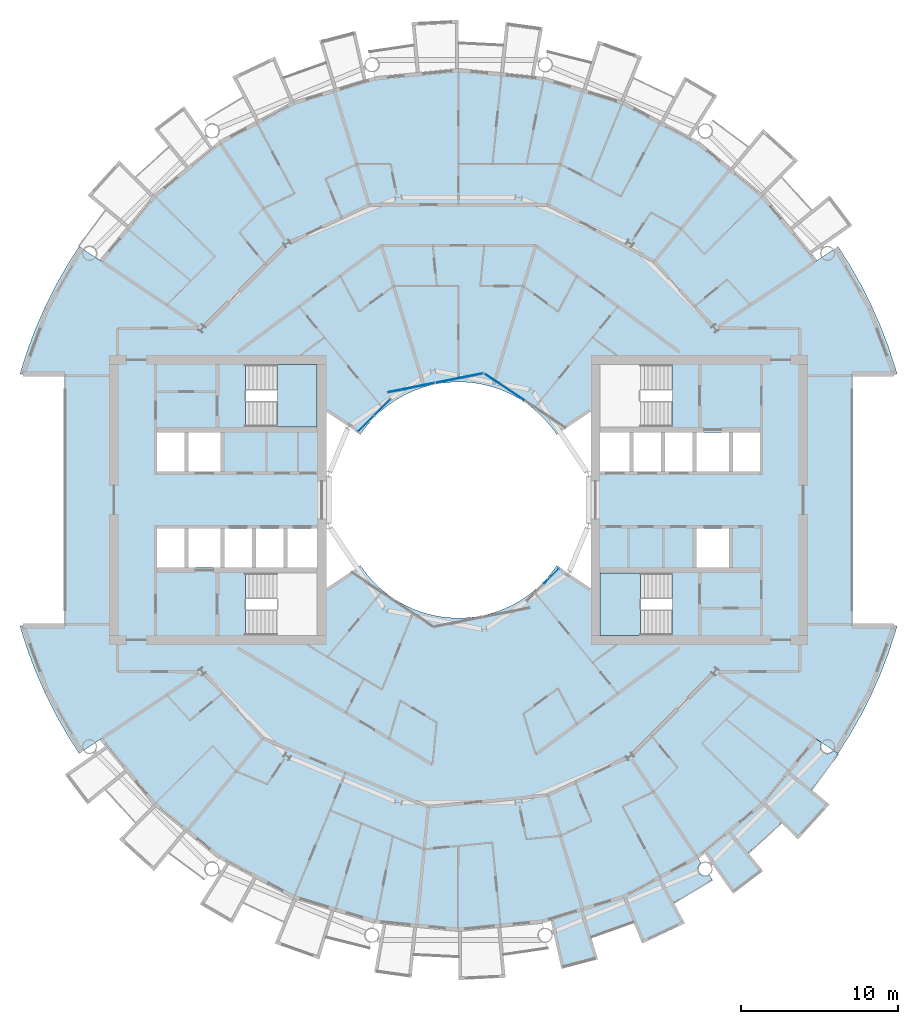
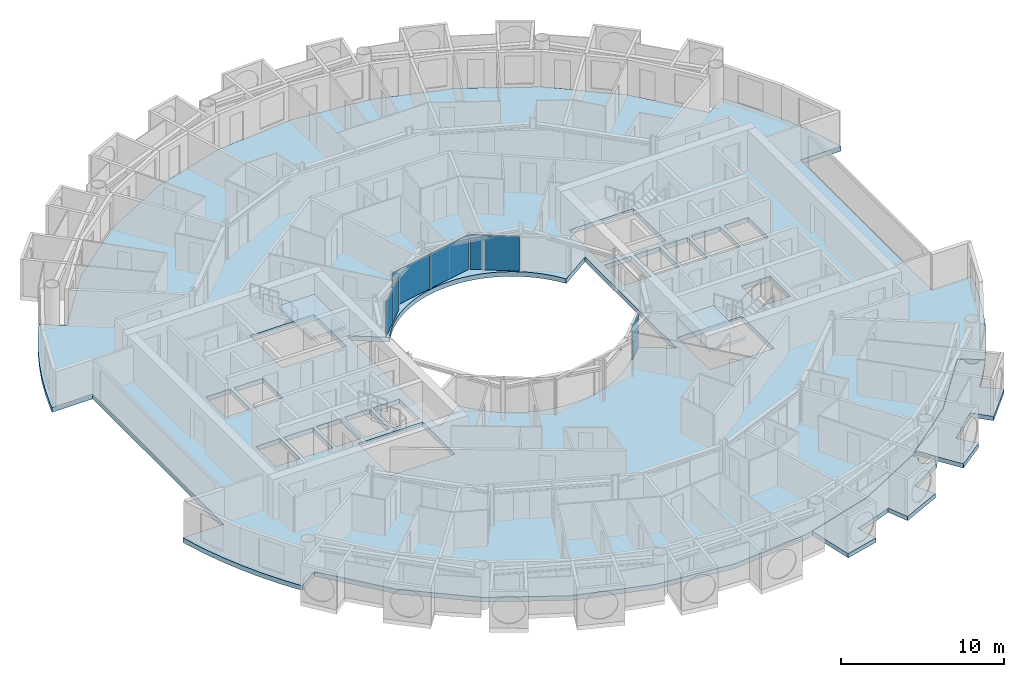
# One storey, part 11 of 27: 6 plates, 5 slabs, 6 elements without a shape of their own.
"""IFC4 building model written with IfcOpenShell, lengths in metres."""

from ifc_helpers import new_model, si_unit, direction, frame, origin, origin_2d, place, context, subcontext, project, spatial, polyline, rectangle, outline, extrude, material, layer, layer_set, type_object, element, aggregate, save


model = new_model("IFC4")

# Units and contexts
model_context = context("Model", 3, precision=1e-05, world=origin(), true_north=direction((0.0, 1.0)))
body_context = subcontext(model_context, "Body", "Model", "MODEL_VIEW")
ifc_project = project(units=[si_unit("LENGTHUNIT", "METRE"), si_unit("AREAUNIT", "SQUARE_METRE"), si_unit("VOLUMEUNIT", "CUBIC_METRE"), si_unit("PLANEANGLEUNIT", "RADIAN"), si_unit("MASSUNIT", "GRAM", prefix="KILO")], contexts=[model_context])

# Site, building, storey
site_placement = place(None, origin())
site = spatial("IfcSite", under=ifc_project, at=site_placement, CompositionType="ELEMENT")
building_placement = place(site_placement, origin())
building = spatial("IfcBuilding", under=site, at=building_placement, Name="Maasbend Ring Residences", CompositionType="ELEMENT")
storey_placement = place(building_placement, frame((0.0, 0.0, 117.75)))
storey = spatial("IfcBuildingStorey", under=building, at=storey_placement, Name="L33", CompositionType="ELEMENT", Elevation=117.75)

# Stair, slab
ifc_material_1 = material(Name="Concrete C40/50", Category="concrete")
stair_type = type_object("IfcStairType", Name="CORE STAIR 18 RISERS", PredefinedType="HALF_TURN_STAIR", material=ifc_material_1)
stair_1_placement = place(storey_placement, origin())
stair_1 = element("IfcStair", 1, at=stair_1_placement, inside=storey, type_object=stair_type, Name="L33 Exit stair ST-E2", PredefinedType="HALF_TURN_STAIR")
ifc_material_2 = material(Name="Concrete C40/50", Category="concrete")
ifc_layer_1 = layer(ifc_material_2, 0.199951171875)
ifc_layer_set_1 = layer_set([ifc_layer_1], Name="Concrete C40/50")
slab_type_1 = type_object("IfcSlabType", Name="CORE STAIR LANDING 200", PredefinedType="LANDING", material=ifc_layer_set_1)
slab_1_placement = place(storey_placement, frame((0.0, 0.0, 1.324951171875)))
slab_1 = element("IfcSlab", 2, at=slab_1_placement, type_object=slab_type_1, Name="ST-E2 landing 1", PredefinedType="LANDING", context=body_context, shape_type="SweptSolid", body=[
    extrude(outline(polyline([(11.550048828125, -4.64990234375), (9.0, -4.64990234375), (9.0, -8.60009765625), (11.550048828125, -8.60009765625), (11.550048828125, -4.64990234375)])), origin(), (0.0, 0.0, 1.0), 0.199951171875),
])
aggregate(stair_1, [slab_1])

stair_2_placement = place(storey_placement, origin())
stair_2 = element("IfcStair", 3, at=stair_2_placement, inside=storey, type_object=stair_type, Name="L33 Exit stair ST-W2", PredefinedType="HALF_TURN_STAIR")
slab_2_placement = place(storey_placement, frame((0.0, 0.0, 1.324951171875)))
slab_2 = element("IfcSlab", 4, at=slab_2_placement, type_object=slab_type_1, Name="ST-W2 landing 1", PredefinedType="LANDING", context=body_context, shape_type="SweptSolid", body=[
    extrude(outline(polyline([(-11.550048828125, 4.64990234375), (-9.0, 4.64990234375), (-9.0, 8.60009765625), (-11.550048828125, 8.60009765625), (-11.550048828125, 4.64990234375)])), origin(), (0.0, 0.0, 1.0), 0.199951171875),
])
aggregate(stair_2, [slab_2])

# Curtain wall, plate
ifc_material_3 = material(Name="Aluminium and clear glass", Category="aluminium")
ifc_layer_2 = layer(ifc_material_3, 0.179931640625)
ifc_layer_set_2 = layer_set([ifc_layer_2], Name="CW-W")
curtain_wall_type = type_object("IfcCurtainWallType", Name="CW-W", PredefinedType="NOTDEFINED", material=ifc_layer_set_2)
curtain_wall_1_placement = place(storey_placement, origin())
curtain_wall_1 = element("IfcCurtainWall", 5, at=curtain_wall_1_placement, inside=storey, type_object=curtain_wall_type, Name="Well curtain wall N1", PredefinedType="NOTDEFINED")
ifc_material_4 = material(Name="Glass clear laminated", Category="glass")
ifc_layer_3 = layer(ifc_material_4, 0.031982421875)
ifc_layer_set_3 = layer_set([ifc_layer_3], Name="CWP-W")
plate_type = type_object("IfcPlateType", Name="CWP-W", PredefinedType="CURTAIN_PANEL", material=ifc_layer_set_3)
plate_1_placement = place(storey_placement, frame((2.922119140625, 7.17578125, 0.0), z_axis=(0.0, 0.0, 1.0), x_axis=(-0.831469612303, 0.55557023302, 0.0)))
plate_1 = element("IfcPlate", 6, at=plate_1_placement, type_object=plate_type, Name="Glass panel well face", PredefinedType="CURTAIN_PANEL", context=body_context, shape_type="SweptSolid", body=[
    extrude(rectangle(XDim=3.053955078125, YDim=0.031982421875, at=origin_2d()), origin(), (0.0, 0.0, 1.0), 2.580078125),
])
aggregate(curtain_wall_1, [plate_1])

# Curtain wall, plates
curtain_wall_2_placement = place(storey_placement, origin())
curtain_wall_2 = element("IfcCurtainWall", 7, at=curtain_wall_2_placement, inside=storey, type_object=curtain_wall_type, Name="Well curtain wall N2", PredefinedType="NOTDEFINED")
plate_2_placement = place(storey_placement, frame((0.04638671875, 7.747802734375, 0.0), z_axis=(0.0, 0.0, 1.0), x_axis=(-0.980785280403, -0.195090322016, 0.0)))
plate_2 = element("IfcPlate", 8, at=plate_2_placement, type_object=plate_type, Name="Glass panel well face", PredefinedType="CURTAIN_PANEL", context=body_context, shape_type="SweptSolid", body=[
    extrude(rectangle(XDim=3.053955078125, YDim=0.031982421875, at=origin_2d()), origin(), (0.0, 0.0, 1.0), 2.580078125),
])
plate_3_placement = place(storey_placement, frame((-3.0078125, 7.140380859375, 0.0), z_axis=(0.0, 0.0, 1.0), x_axis=(-0.980785280403, -0.195090322016, 0.0)))
plate_3 = element("IfcPlate", 9, at=plate_3_placement, type_object=plate_type, Name="Glass panel well face", PredefinedType="CURTAIN_PANEL", context=body_context, shape_type="SweptSolid", body=[
    extrude(rectangle(XDim=3.053955078125, YDim=0.031982421875, at=origin_2d()), origin(), (0.0, 0.0, 1.0), 2.580078125),
])
aggregate(curtain_wall_2, [plate_2, plate_3])

curtain_wall_3_placement = place(storey_placement, origin())
curtain_wall_3 = element("IfcCurtainWall", 10, at=curtain_wall_3_placement, inside=storey, type_object=curtain_wall_type, Name="Well curtain wall N3", PredefinedType="NOTDEFINED")
plate_4_placement = place(storey_placement, frame((-4.84375, 5.89013671875, 0.0), z_axis=(0.0, 0.0, 1.0), x_axis=(-0.707106781187, -0.707106781187, 0.0)))
plate_4 = element("IfcPlate", 11, at=plate_4_placement, type_object=plate_type, Name="Glass panel well face", PredefinedType="CURTAIN_PANEL", context=body_context, shape_type="SweptSolid", body=[
    extrude(rectangle(XDim=1.419677734375, YDim=0.031982421875, at=origin_2d()), origin(), (0.0, 0.0, 1.0), 2.580078125),
])
plate_5_placement = place(storey_placement, frame((-5.89013671875, 4.84375, 0.0), z_axis=(0.0, 0.0, 1.0), x_axis=(-0.707106781187, -0.707106781187, 0.0)))
plate_5 = element("IfcPlate", 12, at=plate_5_placement, type_object=plate_type, Name="Glass panel well face", PredefinedType="CURTAIN_PANEL", context=body_context, shape_type="SweptSolid", body=[
    extrude(rectangle(XDim=1.419677734375, YDim=0.031982421875, at=origin_2d()), origin(), (0.0, 0.0, 1.0), 2.580078125),
])
aggregate(curtain_wall_3, [plate_4, plate_5])

# Curtain wall, plate
curtain_wall_4_placement = place(storey_placement, origin())
curtain_wall_4 = element("IfcCurtainWall", 13, at=curtain_wall_4_placement, inside=storey, type_object=curtain_wall_type, Name="Well curtain wall S3", PredefinedType="NOTDEFINED")
plate_6_placement = place(storey_placement, frame((5.89013671875, -4.84375, 0.0), z_axis=(0.0, 0.0, 1.0), x_axis=(0.707106781187, 0.707106781187, 0.0)))
plate_6 = element("IfcPlate", 14, at=plate_6_placement, type_object=plate_type, Name="Glass panel well face", PredefinedType="CURTAIN_PANEL", context=body_context, shape_type="SweptSolid", body=[
    extrude(rectangle(XDim=1.419677734375, YDim=0.031982421875, at=origin_2d()), origin(), (0.0, 0.0, 1.0), 2.580078125),
])
aggregate(curtain_wall_4, [plate_6])

# Slabs
ifc_material_5 = material(Name="Concrete C40/50", Category="concrete")
ifc_layer_4 = layer(ifc_material_5, 0.35009765625)
ifc_layer_set_4 = layer_set([ifc_layer_4], Name="Concrete C40/50")
slab_type_2 = type_object("IfcSlabType", Name="Post-tensioned flat plate 350", PredefinedType="FLOOR", material=ifc_layer_set_4)
slab_3_placement = place(storey_placement, frame((0.0, 0.0, -0.35009765625)))
element("IfcSlab", 15, at=slab_3_placement, inside=storey, type_object=slab_type_2, Name="Floor slab L33", PredefinedType="FLOOR", context=body_context, shape_type="SweptSolid", body=[
    extrude(outline(polyline([(24.8740234375, -14.908935546875), (25.57568359375, -13.67041015625), (26.2158203125, -12.399169921875), (26.79248046875, -11.097900390625), (27.3046875, -9.769775390625), (27.751220703125, -8.418212890625), (27.866943359375, -8.0), (25.0, -8.0), (25.0, 8.0), (27.866943359375, 8.0), (27.751220703125, 8.418212890625), (27.3046875, 9.769775390625), (26.79248046875, 11.097900390625), (26.2158203125, 12.399169921875), (25.57568359375, 13.67041015625), (24.8740234375, 14.908935546875), (24.112548828125, 16.111572265625), (22.69921875, 15.1669921875), (19.303955078125, 19.303955078125), (15.1669921875, 22.69921875), (10.447265625, 25.221923828125), (5.325927734375, 26.775390625), (0.0, 27.300048828125), (-5.325927734375, 26.775390625), (-10.447265625, 25.221923828125), (-15.1669921875, 22.69921875), (-19.303955078125, 19.303955078125), (-22.69921875, 15.1669921875), (-24.112548828125, 16.111572265625), (-24.8740234375, 14.908935546875), (-25.57568359375, 13.67041015625), (-26.2158203125, 12.399169921875), (-26.79248046875, 11.097900390625), (-27.3046875, 9.769775390625), (-27.751220703125, 8.418212890625), (-27.866943359375, 8.0), (-25.0, 8.0), (-25.0, -8.0), (-27.866943359375, -8.0), (-27.751220703125, -8.418212890625), (-27.3046875, -9.769775390625), (-26.79248046875, -11.097900390625), (-26.2158203125, -12.399169921875), (-25.57568359375, -13.67041015625), (-24.8740234375, -14.908935546875), (-24.112548828125, -16.111572265625), (-22.69921875, -15.1669921875), (-19.303955078125, -19.303955078125), (-15.1669921875, -22.69921875), (-10.447265625, -25.221923828125), (-5.325927734375, -26.775390625), (0.0, -27.300048828125), (5.325927734375, -26.775390625), (10.447265625, -25.221923828125), (15.1669921875, -22.69921875), (19.303955078125, -19.303955078125), (22.69921875, -15.1669921875), (24.112548828125, -16.111572265625), (24.8740234375, -14.908935546875)]), holes=[polyline([(17.425048828125, 4.27490234375), (19.14990234375, 4.27490234375), (19.14990234375, 1.824951171875), (17.425048828125, 1.824951171875), (17.425048828125, 4.27490234375)]), polyline([(15.125, 1.824951171875), (15.125, 4.27490234375), (17.175048828125, 4.27490234375), (17.175048828125, 1.824951171875), (15.125, 1.824951171875)]), polyline([(15.125, -4.27490234375), (15.125, -1.824951171875), (17.175048828125, -1.824951171875), (17.175048828125, -4.27490234375), (15.125, -4.27490234375)]), polyline([(13.125, 1.824951171875), (13.125, 4.27490234375), (14.875, 4.27490234375), (14.875, 1.824951171875), (13.125, 1.824951171875)]), polyline([(13.550048828125, 4.64990234375), (9.0, 4.64990234375), (9.0, 8.60009765625), (13.550048828125, 8.60009765625), (13.550048828125, 4.64990234375)]), polyline([(13.550048828125, -4.64990234375), (13.550048828125, -8.60009765625), (9.0, -8.60009765625), (9.0, -4.64990234375), (13.550048828125, -4.64990234375)]), polyline([(11.125, 1.824951171875), (11.125, 4.27490234375), (12.875, 4.27490234375), (12.875, 1.824951171875), (11.125, 1.824951171875)]), polyline([(9.0, 1.824951171875), (9.0, 4.27490234375), (10.875, 4.27490234375), (10.875, 1.824951171875), (9.0, 1.824951171875)]), polyline([(6.024169921875, 4.4677734375), (6.236083984375, 4.166748046875), (8.39990234375, 5.61279296875), (8.39990234375, -5.61279296875), (6.236083984375, -4.166748046875), (6.024169921875, -4.4677734375), (5.797607421875, -4.7578125), (5.55712890625, -5.03662109375), (5.30322265625, -5.30322265625), (5.03662109375, -5.55712890625), (4.7578125, -5.797607421875), (4.4677734375, -6.024169921875), (4.166748046875, -6.236083984375), (3.855712890625, -6.43310546875), (3.535400390625, -6.614501953125), (3.206787109375, -6.77978515625), (2.8701171875, -6.92919921875), (2.526611328125, -7.0615234375), (2.177001953125, -7.177001953125), (1.822509765625, -7.275146484375), (1.463134765625, -7.35595703125), (1.1005859375, -7.418701171875), (0.735107421875, -7.4638671875), (0.367919921875, -7.490966796875), (0.0, -7.5), (-0.367919921875, -7.490966796875), (-0.735107421875, -7.4638671875), (-1.1005859375, -7.418701171875), (-1.463134765625, -7.35595703125), (-1.822509765625, -7.275146484375), (-2.177001953125, -7.177001953125), (-2.526611328125, -7.0615234375), (-2.8701171875, -6.92919921875), (-3.206787109375, -6.77978515625), (-3.535400390625, -6.614501953125), (-3.855712890625, -6.43310546875), (-4.166748046875, -6.236083984375), (-4.4677734375, -6.024169921875), (-4.7578125, -5.797607421875), (-5.03662109375, -5.55712890625), (-5.30322265625, -5.30322265625), (-5.55712890625, -5.03662109375), (-5.797607421875, -4.7578125), (-6.024169921875, -4.4677734375), (-6.236083984375, -4.166748046875), (-8.39990234375, -5.61279296875), (-8.39990234375, 5.61279296875), (-6.236083984375, 4.166748046875), (-6.236083984375, 4.166748046875), (-6.024169921875, 4.4677734375), (-5.797607421875, 4.7578125), (-5.55712890625, 5.03662109375), (-5.30322265625, 5.30322265625), (-5.03662109375, 5.55712890625), (-4.7578125, 5.797607421875), (-4.4677734375, 6.024169921875), (-4.166748046875, 6.236083984375), (-3.855712890625, 6.43310546875), (-3.535400390625, 6.614501953125), (-3.206787109375, 6.77978515625), (-2.8701171875, 6.92919921875), (-2.526611328125, 7.0615234375), (-2.177001953125, 7.177001953125), (-1.822509765625, 7.275146484375), (-1.463134765625, 7.35595703125), (-1.1005859375, 7.418701171875), (-0.735107421875, 7.4638671875), (-0.367919921875, 7.490966796875), (0.0, 7.5), (0.367919921875, 7.490966796875), (0.735107421875, 7.4638671875), (1.1005859375, 7.418701171875), (1.463134765625, 7.35595703125), (1.822509765625, 7.275146484375), (2.177001953125, 7.177001953125), (2.526611328125, 7.0615234375), (2.8701171875, 6.92919921875), (3.206787109375, 6.77978515625), (3.535400390625, 6.614501953125), (3.855712890625, 6.43310546875), (4.166748046875, 6.236083984375), (4.4677734375, 6.024169921875), (4.7578125, 5.797607421875), (5.03662109375, 5.55712890625), (5.30322265625, 5.30322265625), (5.55712890625, 5.03662109375), (5.797607421875, 4.7578125), (6.024169921875, 4.4677734375)]), polyline([(-13.550048828125, 4.64990234375), (-13.550048828125, 8.60009765625), (-9.0, 8.60009765625), (-9.0, 4.64990234375), (-13.550048828125, 4.64990234375)]), polyline([(-13.550048828125, -8.60009765625), (-13.550048828125, -4.64990234375), (-9.0, -4.64990234375), (-9.0, -8.60009765625), (-13.550048828125, -8.60009765625)]), polyline([(-9.0, -1.824951171875), (-9.0, -4.27490234375), (-10.875, -4.27490234375), (-10.875, -1.824951171875), (-9.0, -1.824951171875)]), polyline([(-11.125, -1.824951171875), (-11.125, -4.27490234375), (-12.875, -4.27490234375), (-12.875, -1.824951171875), (-11.125, -1.824951171875)]), polyline([(-13.125, -1.824951171875), (-13.125, -4.27490234375), (-14.875, -4.27490234375), (-14.875, -1.824951171875), (-13.125, -1.824951171875)]), polyline([(-15.125, 4.27490234375), (-15.125, 1.824951171875), (-17.175048828125, 1.824951171875), (-17.175048828125, 4.27490234375), (-15.125, 4.27490234375)]), polyline([(-15.125, -1.824951171875), (-15.125, -4.27490234375), (-17.175048828125, -4.27490234375), (-17.175048828125, -1.824951171875), (-15.125, -1.824951171875)]), polyline([(-17.425048828125, -1.824951171875), (-17.425048828125, -4.27490234375), (-19.14990234375, -4.27490234375), (-19.14990234375, -1.824951171875), (-17.425048828125, -1.824951171875)]), polyline([(-17.425048828125, 4.27490234375), (-17.425048828125, 1.824951171875), (-19.14990234375, 1.824951171875), (-19.14990234375, 4.27490234375), (-17.425048828125, 4.27490234375)])]), origin(), (0.0, 0.0, 1.0), 0.35009765625),
])
ifc_material_6 = material(Name="Concrete C40/50", Category="concrete")
ifc_layer_5 = layer(ifc_material_6, 0.199951171875)
ifc_layer_set_5 = layer_set([ifc_layer_5], Name="Concrete C40/50")
slab_type_3 = type_object("IfcSlabType", Name="SL-LOGGIA", PredefinedType="FLOOR", material=ifc_layer_set_5)
slab_4_placement = place(storey_placement, frame((0.0, 0.0, -0.35009765625)))
element("IfcSlab", 16, at=slab_4_placement, inside=storey, type_object=slab_type_3, Name="Loggia floor 1", PredefinedType="FLOOR", context=body_context, shape_type="SweptSolid", body=[
    extrude(outline(polyline([(10.447021484375, -25.221923828125), (12.806884765625, -23.9609375), (15.1669921875, -22.698974609375), (15.1669921875, -22.698974609375), (15.1669921875, -22.698974609375), (15.4130859375, -23.06689453125), (15.404052734375, -23.073974609375), (15.39501953125, -23.080078125), (15.385986328125, -23.0869140625), (15.376953125, -23.093994140625), (15.368896484375, -23.10107421875), (15.360107421875, -23.10888671875), (15.35205078125, -23.115966796875), (15.343994140625, -23.1240234375), (15.3359375, -23.132080078125), (15.327880859375, -23.139892578125), (15.321044921875, -23.14892578125), (15.31396484375, -23.156982421875), (15.306884765625, -23.166015625), (15.300048828125, -23.175048828125), (15.29296875, -23.18408203125), (15.287109375, -23.194091796875), (15.281005859375, -23.202880859375), (15.27490234375, -23.2119140625), (15.26904296875, -23.221923828125), (15.263916015625, -23.23193359375), (15.259033203125, -23.241943359375), (15.25390625, -23.251953125), (15.2490234375, -23.261962890625), (15.2451171875, -23.27294921875), (15.240966796875, -23.282958984375), (15.237060546875, -23.29296875), (15.23291015625, -23.303955078125), (15.22998046875, -23.31494140625), (15.22705078125, -23.325927734375), (15.22412109375, -23.3359375), (15.220947265625, -23.346923828125), (15.218994140625, -23.35791015625), (15.217041015625, -23.368896484375), (15.215087890625, -23.3798828125), (15.214111328125, -23.39111328125), (15.2119140625, -23.403076171875), (15.2109375, -23.4140625), (15.2109375, -23.425048828125), (15.2099609375, -23.43603515625), (15.2099609375, -23.447021484375), (15.2099609375, -23.458984375), (15.2109375, -23.469970703125), (15.2109375, -23.48095703125), (15.2119140625, -23.491943359375), (15.214111328125, -23.5029296875), (15.215087890625, -23.513916015625), (15.217041015625, -23.52587890625), (15.218994140625, -23.537109375), (15.220947265625, -23.548095703125), (15.22412109375, -23.55810546875), (15.22705078125, -23.569091796875), (15.22998046875, -23.580078125), (15.23291015625, -23.591064453125), (15.237060546875, -23.60107421875), (15.240966796875, -23.612060546875), (15.2451171875, -23.6220703125), (15.2490234375, -23.633056640625), (15.25390625, -23.64306640625), (15.259033203125, -23.653076171875), (15.263916015625, -23.6630859375), (15.26904296875, -23.673095703125), (15.27490234375, -23.681884765625), (15.281005859375, -23.69189453125), (15.287109375, -23.700927734375), (15.29296875, -23.7109375), (15.300048828125, -23.719970703125), (15.306884765625, -23.72900390625), (15.31396484375, -23.737060546875), (15.321044921875, -23.74609375), (15.327880859375, -23.75390625), (15.3359375, -23.762939453125), (15.343994140625, -23.77099609375), (15.35205078125, -23.778076171875), (15.360107421875, -23.785888671875), (15.368896484375, -23.79296875), (15.376953125, -23.801025390625), (15.385986328125, -23.80810546875), (15.39501953125, -23.81396484375), (15.404052734375, -23.821044921875), (15.4130859375, -23.826904296875), (15.423095703125, -23.8330078125), (15.431884765625, -23.839111328125), (15.44189453125, -23.844970703125), (15.451904296875, -23.85009765625), (15.4619140625, -23.85595703125), (15.471923828125, -23.861083984375), (15.48193359375, -23.864990234375), (15.491943359375, -23.8701171875), (15.5029296875, -23.8740234375), (15.512939453125, -23.8779296875), (15.52392578125, -23.881103515625), (15.533935546875, -23.885009765625), (15.544921875, -23.887939453125), (15.555908203125, -23.89111328125), (15.56689453125, -23.89306640625), (15.577880859375, -23.89599609375), (15.589111328125, -23.89794921875), (15.60009765625, -23.89892578125), (15.611083984375, -23.90087890625), (15.6220703125, -23.902099609375), (15.633056640625, -23.903076171875), (15.64501953125, -23.904052734375), (15.656005859375, -23.904052734375), (15.6669921875, -23.904052734375), (15.677978515625, -23.904052734375), (15.68994140625, -23.904052734375), (15.700927734375, -23.903076171875), (15.7119140625, -23.902099609375), (15.722900390625, -23.90087890625), (15.73388671875, -23.89892578125), (15.7451171875, -23.89794921875), (15.756103515625, -23.89599609375), (15.76708984375, -23.89306640625), (15.778076171875, -23.89111328125), (15.7890625, -23.887939453125), (15.800048828125, -23.885009765625), (15.81005859375, -23.881103515625), (15.821044921875, -23.8779296875), (15.83203125, -23.8740234375), (15.842041015625, -23.8701171875), (15.85205078125, -23.864990234375), (15.862060546875, -23.861083984375), (15.873046875, -23.85595703125), (15.883056640625, -23.85009765625), (15.89208984375, -23.844970703125), (15.902099609375, -23.839111328125), (15.912109375, -23.8330078125), (15.9208984375, -23.826904296875), (16.112060546875, -24.113037109375), (16.112060546875, -24.113037109375), (16.112060546875, -24.113037109375), (15.31396484375, -24.626953125), (15.31396484375, -24.626953125), (14.5, -25.114990234375), (14.5, -25.114990234375), (13.6708984375, -25.574951171875), (13.6708984375, -25.575927734375), (13.6708984375, -25.575927734375), (13.6708984375, -25.575927734375), (13.6708984375, -25.575927734375), (13.6708984375, -25.575927734375), (13.6708984375, -25.575927734375), (13.6708984375, -25.575927734375), (13.6708984375, -25.575927734375), (13.6708984375, -25.575927734375), (13.6708984375, -25.575927734375), (13.6708984375, -25.575927734375), (13.6708984375, -25.575927734375), (13.6708984375, -25.575927734375), (13.6708984375, -25.575927734375), (13.6708984375, -25.575927734375), (13.6708984375, -25.575927734375), (14.3779296875, -26.89892578125), (14.3779296875, -26.89892578125), (14.3779296875, -26.89892578125), (11.672119140625, -28.177978515625), (11.672119140625, -28.177978515625), (11.672119140625, -28.177978515625), (11.097900390625, -26.79296875), (11.097900390625, -26.79296875), (11.097900390625, -26.79296875), (11.097900390625, -26.79296875), (11.097900390625, -26.79296875), (11.097900390625, -26.79296875), (11.097900390625, -26.79296875), (11.097900390625, -26.79296875), (11.097900390625, -26.79296875), (11.097900390625, -26.79296875), (11.097900390625, -26.79296875), (11.097900390625, -26.79296875), (11.097900390625, -26.79296875), (11.097900390625, -26.79296875), (11.096923828125, -26.79296875), (11.096923828125, -26.79296875), (11.096923828125, -26.79296875), (10.215087890625, -27.14111328125), (10.215087890625, -27.14111328125), (9.322021484375, -27.4609375), (9.322021484375, -27.4609375), (8.4189453125, -27.7509765625), (8.4189453125, -27.7509765625), (8.4189453125, -27.7509765625), (8.4189453125, -27.7509765625), (8.4189453125, -27.7509765625), (8.4189453125, -27.7509765625), (8.41796875, -27.7509765625), (8.41796875, -27.7509765625), (8.41796875, -27.7509765625), (8.41796875, -27.7509765625), (8.41796875, -27.7509765625), (8.41796875, -27.751953125), (8.41796875, -27.751953125), (8.41796875, -27.751953125), (8.41796875, -27.751953125), (8.41796875, -27.751953125), (8.41796875, -27.751953125), (8.85400390625, -29.18701171875), (8.85400390625, -29.18701171875), (8.85400390625, -29.18701171875), (6.5400390625, -29.791015625), (6.5400390625, -29.791015625), (6.5400390625, -29.791015625), (5.843994140625, -26.617919921875), (5.843994140625, -26.617919921875), (5.843994140625, -26.617919921875), (7.886962890625, -25.9990234375), (10.447021484375, -25.221923828125), (10.447021484375, -25.221923828125), (10.447021484375, -25.221923828125)])), origin(), (0.0, 0.0, 1.0), 0.320068359375),
])
slab_5_placement = place(storey_placement, frame((0.0, 0.0, -0.35009765625)))
element("IfcSlab", 17, at=slab_5_placement, inside=storey, type_object=slab_type_3, Name="Loggia floor 4", PredefinedType="FLOOR", context=body_context, shape_type="SweptSolid", body=[
    extrude(outline(polyline([(19.303955078125, -19.303955078125), (21.001953125, -17.236083984375), (22.698974609375, -15.1669921875), (22.698974609375, -15.1669921875), (22.698974609375, -15.1669921875), (23.06689453125, -15.4130859375), (23.06689453125, -15.4130859375), (23.06103515625, -15.423095703125), (23.054931640625, -15.431884765625), (23.050048828125, -15.44189453125), (23.0439453125, -15.451904296875), (23.0390625, -15.4619140625), (23.033935546875, -15.471923828125), (23.030029296875, -15.48193359375), (23.02490234375, -15.491943359375), (23.02099609375, -15.5029296875), (23.01708984375, -15.512939453125), (23.012939453125, -15.52392578125), (23.010009765625, -15.533935546875), (23.007080078125, -15.544921875), (23.00390625, -15.555908203125), (23.001953125, -15.56689453125), (22.9990234375, -15.577880859375), (22.9970703125, -15.589111328125), (22.9951171875, -15.60009765625), (22.993896484375, -15.611083984375), (22.992919921875, -15.6220703125), (22.991943359375, -15.633056640625), (22.990966796875, -15.64501953125), (22.990966796875, -15.656005859375), (22.989990234375, -15.6669921875), (22.990966796875, -15.677978515625), (22.990966796875, -15.68994140625), (22.991943359375, -15.700927734375), (22.992919921875, -15.7119140625), (22.993896484375, -15.722900390625), (22.9951171875, -15.73388671875), (22.9970703125, -15.7451171875), (22.9990234375, -15.756103515625), (23.001953125, -15.76708984375), (23.00390625, -15.778076171875), (23.007080078125, -15.7890625), (23.010009765625, -15.800048828125), (23.012939453125, -15.81005859375), (23.01708984375, -15.821044921875), (23.02099609375, -15.83203125), (23.02490234375, -15.842041015625), (23.030029296875, -15.85205078125), (23.033935546875, -15.862060546875), (23.0390625, -15.873046875), (23.0439453125, -15.883056640625), (23.050048828125, -15.89208984375), (23.054931640625, -15.902099609375), (23.06103515625, -15.912109375), (23.06689453125, -15.9208984375), (23.073974609375, -15.929931640625), (23.080078125, -15.93896484375), (23.0869140625, -15.947998046875), (23.093994140625, -15.95703125), (23.10107421875, -15.966064453125), (23.10888671875, -15.97412109375), (23.115966796875, -15.98193359375), (23.1240234375, -15.989990234375), (23.132080078125, -15.998046875), (23.139892578125, -16.006103515625), (23.14892578125, -16.012939453125), (23.156982421875, -16.02001953125), (23.166015625, -16.027099609375), (23.175048828125, -16.033935546875), (23.18408203125, -16.041015625), (23.194091796875, -16.047119140625), (23.202880859375, -16.052978515625), (23.2119140625, -16.05908203125), (23.221923828125, -16.06494140625), (23.23193359375, -16.070068359375), (23.241943359375, -16.074951171875), (23.251953125, -16.080078125), (23.261962890625, -16.0849609375), (23.27294921875, -16.089111328125), (23.282958984375, -16.093017578125), (23.29296875, -16.096923828125), (23.303955078125, -16.10107421875), (23.31494140625, -16.10400390625), (23.325927734375, -16.10791015625), (23.3359375, -16.110107421875), (23.346923828125, -16.113037109375), (23.35791015625, -16.114990234375), (23.368896484375, -16.116943359375), (23.3798828125, -16.118896484375), (23.39111328125, -16.12109375), (23.403076171875, -16.1220703125), (23.4140625, -16.123046875), (23.425048828125, -16.1240234375), (23.43603515625, -16.1240234375), (23.447021484375, -16.1240234375), (23.458984375, -16.1240234375), (23.469970703125, -16.1240234375), (23.48095703125, -16.123046875), (23.491943359375, -16.1220703125), (23.5029296875, -16.12109375), (23.513916015625, -16.118896484375), (23.52587890625, -16.116943359375), (23.537109375, -16.114990234375), (23.548095703125, -16.113037109375), (23.55810546875, -16.110107421875), (23.569091796875, -16.10791015625), (23.580078125, -16.10400390625), (23.591064453125, -16.10107421875), (23.60107421875, -16.096923828125), (23.612060546875, -16.093017578125), (23.6220703125, -16.089111328125), (23.633056640625, -16.0849609375), (23.64306640625, -16.080078125), (23.653076171875, -16.074951171875), (23.6630859375, -16.070068359375), (23.673095703125, -16.06494140625), (23.681884765625, -16.05908203125), (23.69189453125, -16.052978515625), (23.700927734375, -16.047119140625), (23.7109375, -16.041015625), (23.719970703125, -16.033935546875), (23.72900390625, -16.027099609375), (23.737060546875, -16.02001953125), (23.74609375, -16.012939453125), (23.75390625, -16.006103515625), (23.762939453125, -15.998046875), (23.77099609375, -15.989990234375), (23.778076171875, -15.98193359375), (23.785888671875, -15.97412109375), (23.79296875, -15.966064453125), (23.801025390625, -15.95703125), (23.80810546875, -15.947998046875), (23.81396484375, -15.93896484375), (23.821044921875, -15.929931640625), (23.826904296875, -15.9208984375), (23.826904296875, -15.9208984375), (24.113037109375, -16.112060546875), (24.113037109375, -16.112060546875), (24.113037109375, -16.112060546875), (23.572998046875, -16.89208984375), (23.572998046875, -16.89208984375), (23.007080078125, -17.654052734375), (23.007080078125, -17.654052734375), (22.41796875, -18.39697265625), (22.41796875, -18.39697265625), (22.41796875, -18.39697265625), (22.41796875, -18.39697265625), (22.41796875, -18.39697265625), (22.41796875, -18.39697265625), (22.41796875, -18.39697265625), (22.41796875, -18.39697265625), (22.41796875, -18.39697265625), (22.41796875, -18.39697265625), (22.41796875, -18.39697265625), (22.41796875, -18.39794921875), (22.41796875, -18.39794921875), (22.41796875, -18.39794921875), (22.41796875, -18.39794921875), (22.41796875, -18.39794921875), (22.41796875, -18.39794921875), (23.576904296875, -19.34912109375), (23.576904296875, -19.34912109375), (23.576904296875, -19.34912109375), (21.56689453125, -21.56689453125), (21.56689453125, -21.56689453125), (21.56689453125, -21.56689453125), (20.506103515625, -20.506103515625), (20.506103515625, -20.506103515625), (20.506103515625, -20.506103515625), (20.506103515625, -20.506103515625), (20.506103515625, -20.506103515625), (20.506103515625, -20.506103515625), (20.506103515625, -20.506103515625), (20.506103515625, -20.506103515625), (20.506103515625, -20.506103515625), (20.506103515625, -20.506103515625), (20.506103515625, -20.506103515625), (20.506103515625, -20.506103515625), (20.506103515625, -20.506103515625), (20.506103515625, -20.506103515625), (20.506103515625, -20.506103515625), (20.506103515625, -20.506103515625), (20.506103515625, -20.506103515625), (19.823974609375, -21.166015625), (19.823974609375, -21.166015625), (19.12109375, -21.802978515625), (19.12109375, -21.802978515625), (18.39794921875, -22.4169921875), (18.39794921875, -22.4169921875), (18.39794921875, -22.4169921875), (18.39794921875, -22.4169921875), (18.39794921875, -22.4169921875), (18.39794921875, -22.4169921875), (18.39794921875, -22.4169921875), (18.39794921875, -22.4169921875), (18.39794921875, -22.4169921875), (18.39794921875, -22.4169921875), (18.39794921875, -22.4169921875), (18.39794921875, -22.4169921875), (18.39794921875, -22.41796875), (18.39794921875, -22.41796875), (18.39794921875, -22.41796875), (18.39794921875, -22.41796875), (18.39794921875, -22.41796875), (19.34912109375, -23.576904296875), (19.34912109375, -23.576904296875), (19.34912109375, -23.576904296875), (17.44189453125, -25.02001953125), (17.44189453125, -25.02001953125), (17.44189453125, -25.02001953125), (15.5849609375, -22.35595703125), (15.5849609375, -22.35595703125), (15.5849609375, -22.35595703125), (17.236083984375, -21.001953125), (19.303955078125, -19.303955078125), (19.303955078125, -19.303955078125), (19.303955078125, -19.303955078125)])), origin(), (0.0, 0.0, 1.0), 0.320068359375),
])

save(model, "model.ifc")
